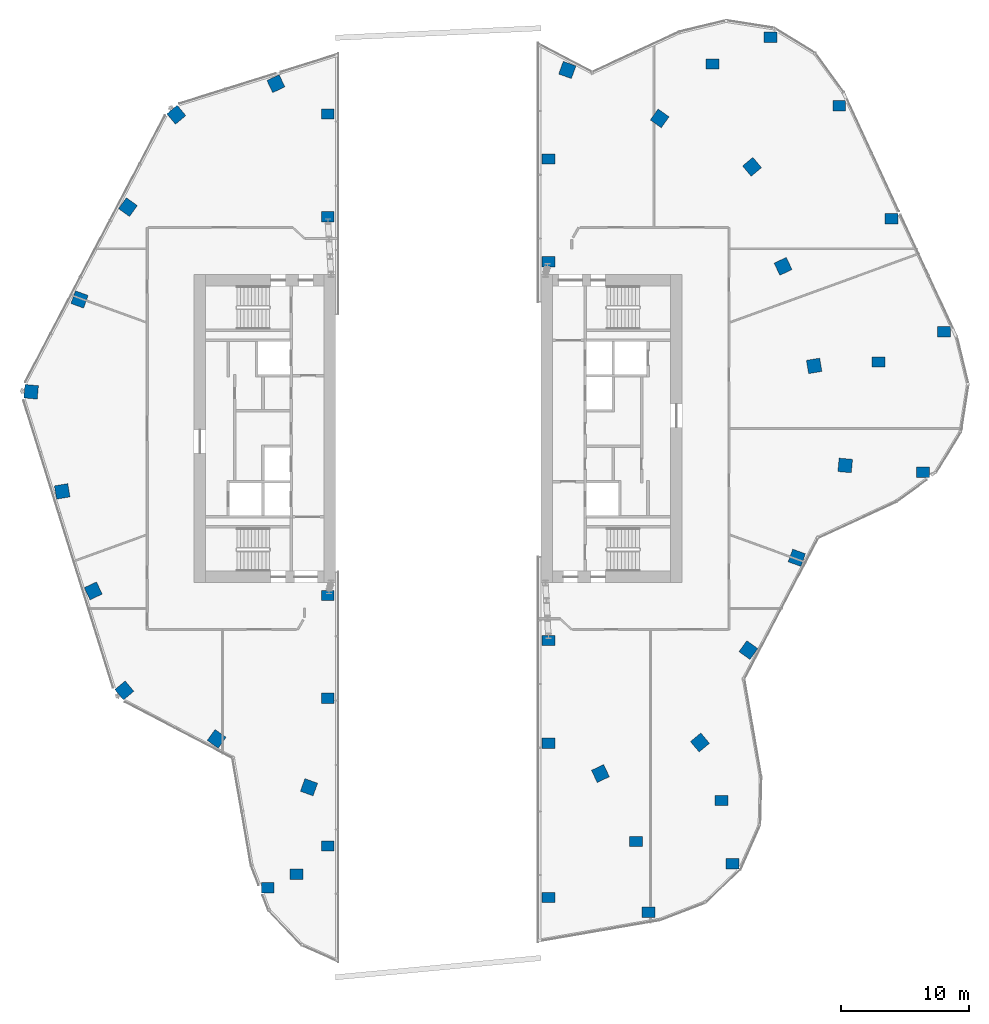
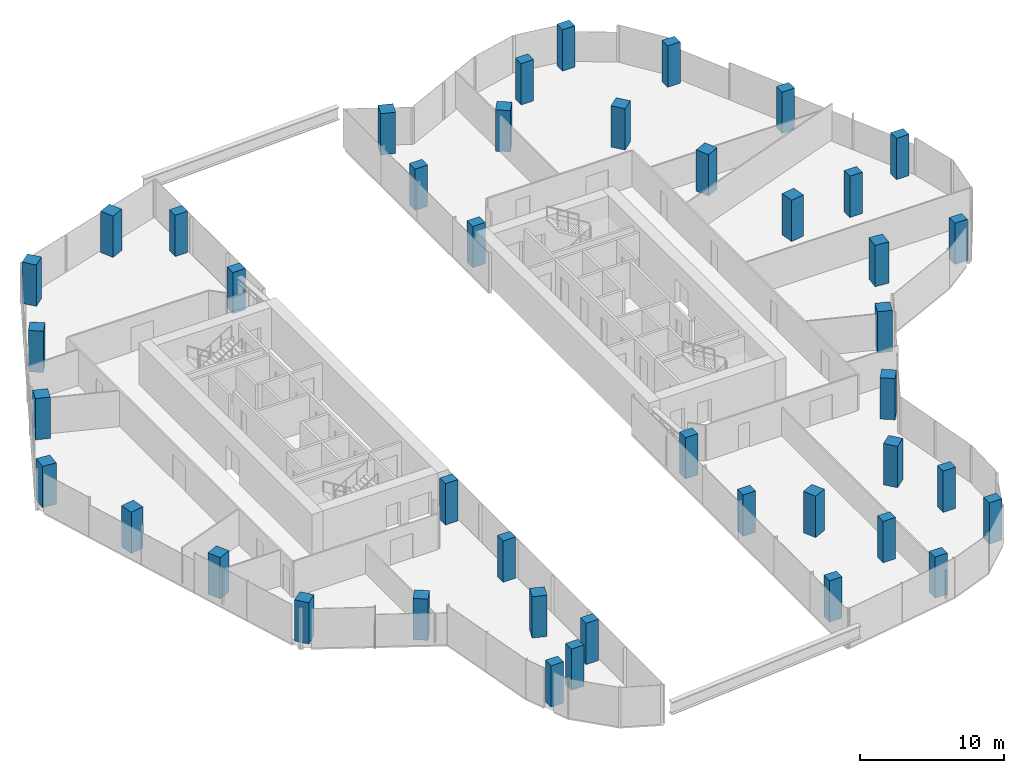
# One storey, part 1 of 24: 43 columns.
"""IFC4 building model written with IfcOpenShell, lengths in metres."""

from ifc_helpers import new_model, si_unit, direction, frame, origin, origin_2d, place, context, subcontext, project, spatial, rectangle, extrude, material, material_profile, profile_set, type_object, element, save


model = new_model("IFC4")

# Units and contexts
model_context = context("Model", 3, precision=1e-05, world=origin(), true_north=direction((0.0, 1.0)))
body_context = subcontext(model_context, "Body", "Model", "MODEL_VIEW")
ifc_project = project(units=[si_unit("LENGTHUNIT", "METRE"), si_unit("AREAUNIT", "SQUARE_METRE"), si_unit("VOLUMEUNIT", "CUBIC_METRE"), si_unit("PLANEANGLEUNIT", "RADIAN"), si_unit("MASSUNIT", "GRAM", prefix="KILO")], contexts=[model_context])

# Site, building, storey
site_placement = place(None, origin())
site = spatial("IfcSite", under=ifc_project, at=site_placement, CompositionType="ELEMENT")
building_placement = place(site_placement, origin())
building = spatial("IfcBuilding", under=site, at=building_placement, Name="Orlundy Tower", CompositionType="ELEMENT")
storey_placement = place(building_placement, frame((0.0, 0.0, 267.5)))
storey = spatial("IfcBuildingStorey", under=building, at=storey_placement, Name="L71", CompositionType="ELEMENT", Elevation=267.5)

# Columns
ifc_material_1 = material(Name="Concrete C60/75", Category="concrete")
ifc_material_profile_1 = material_profile(ifc_material_1, rectangle(XDim=1.0, YDim=0.800048828125, at=origin_2d()), Name="RC1000X800")
ifc_profile_set_1 = profile_set([ifc_material_profile_1], Name="Concrete C60/75")
column_type_1 = type_object("IfcColumnType", Name="RC COLUMN RC1000X800 C60/75", PredefinedType="COLUMN", material=ifc_profile_set_1)
for number, where, z_axis, x_axis, name in (
    (1, (37.758056640625, -3.389892578125, 0.0), (0.0, 0.0, 1.0), (1.0, 0.0, 0.0), "Column C-A1-1 L71"),
    (2, (39.376953125, 7.533935546875, 0.0), (0.0, 0.0, 1.0), (1.0, 0.0, 0.0), "Column C-A2-5 L71"),
    (3, (34.294921875, 5.181884765625, 0.0), (0.0, 0.0, 1.0), (1.0, 0.0, 0.0), "Column C-A2-6 L71"),
    (4, (35.302978515625, 16.3369140625, 0.0), (0.0, 0.0, 1.0), (1.0, 0.0, 0.0), "Column C-A3-5 L71"),
    (5, (31.22900390625, 25.139892578125, 0.0), (0.0, 0.0, 1.0), (1.0, 0.0, 0.0), "Column C-A4-5 L71"),
    (6, (25.885009765625, 30.48291015625, 0.0), (0.0, 0.0, 1.0), (1.0, 0.0, 0.0), "Column C-A5-5 L71"),
    (7, (21.346923828125, 28.383056640625, 0.0), (0.0, 0.0, 1.0), (1.0, 0.0, 0.0), "Column C-A5-6 L71"),
    (8, (-13.27392578125, -35.742919921875, 0.0), (0.0, 0.0, 1.0), (1.0, 0.0, 0.0), "Column C-B1-1 L71"),
    (9, (-11.031005859375, -34.68701171875, 0.0), (0.0, 0.0, 1.0), (1.0, 0.0, 0.0), "Column C-B1-6 L71"),
    (10, (16.3720703125, -37.656982421875, 0.0), (0.0, 0.0, 1.0), (1.0, 0.0, 0.0), "Column C-B4-5 L71"),
    (11, (15.4150390625, -32.138916015625, 0.0), (0.0, 0.0, 1.0), (1.0, 0.0, 0.0), "Column C-B4-6 L71"),
    (12, (22.916015625, -33.876953125, 0.0), (0.0, 0.0, 1.0), (1.0, 0.0, 0.0), "Column C-B5-5 L71"),
    (13, (22.06201171875, -28.950927734375, 0.0), (0.0, 0.0, 1.0), (1.0, 0.0, 0.0), "Column C-B5-6 L71"),
    (14, (8.60009765625, -36.5, 0.0), (0.0, 0.0, 1.0), (1.0, 0.0, 0.0), "Column C-SE1 L71"),
    (15, (8.60009765625, -24.5, 0.0), (0.0, 0.0, 1.0), (1.0, 0.0, 0.0), "Column C-SE2 L71"),
    (16, (8.60009765625, -16.5, 0.0), (0.0, 0.0, 1.0), (1.0, 0.0, 0.0), "Column C-SE3 L71"),
    (17, (8.60009765625, 13.0, 0.0), (0.0, 0.0, 1.0), (1.0, 0.0, 0.0), "Column C-SE4 L71"),
    (18, (8.60009765625, 21.0, 0.0), (0.0, 0.0, 1.0), (1.0, 0.0, 0.0), "Column C-SE5 L71"),
    (19, (-8.60009765625, 24.5, 0.0), (0.0, 0.0, 1.0), (1.0, 0.0, 0.0), "Column C-SW1 L71"),
    (20, (-8.60009765625, 16.5, 0.0), (0.0, 0.0, 1.0), (1.0, 0.0, 0.0), "Column C-SW2 L71"),
    (21, (-8.60009765625, -13.0, 0.0), (0.0, 0.0, 1.0), (1.0, 0.0, 0.0), "Column C-SW3 L71"),
    (22, (-8.60009765625, -21.0, 0.0), (0.0, 0.0, 1.0), (1.0, 0.0, 0.0), "Column C-SW4 L71"),
    (23, (-8.60009765625, -32.5, 0.0), (0.0, 0.0, 1.0), (1.0, 0.0, 0.0), "Column C-SW5 L71"),
):
    element("IfcColumn", number, at=place(storey_placement, frame(where, z_axis=z_axis, x_axis=x_axis)), inside=storey, type_object=column_type_1, Name=name, PredefinedType="COLUMN", context=body_context, shape_type="SweptSolid", body=[
        extrude(rectangle(XDim=1.0, YDim=0.800048828125, at=origin_2d()), origin(), (0.0, 0.0, 1.0), 3.5),
    ])
ifc_material_2 = material(Name="Concrete C60/75", Category="concrete")
ifc_material_profile_2 = material_profile(ifc_material_2, rectangle(XDim=1.050048828125, YDim=1.050048828125, at=origin_2d()), Name="RC1050X1050")
ifc_profile_set_2 = profile_set([ifc_material_profile_2], Name="Concrete C60/75")
column_type_2 = type_object("IfcColumnType", Name="RC COLUMN RC1050X1050 C60/75", PredefinedType="COLUMN", material=ifc_profile_set_2)
for number, where, z_axis, x_axis, name in (
    (24, (10.055908203125, 27.923095703125, 0.0), (0.0, 0.0, 1.0), (0.338836447191, 0.940845291243, 0.0), "Column C-H02 L71"),
    (25, (17.24609375, 24.154052734375, 0.0), (0.0, 0.0, 1.0), (0.581086534119, 0.813841778152, 0.0), "Column C-H03 L71"),
    (26, (24.43701171875, 20.384033203125, 0.0), (0.0, 0.0, 1.0), (0.767914719463, 0.640552092833, 0.0), "Column C-H04 L71"),
    (27, (26.85498046875, 12.634033203125, 0.0), (0.0, 0.0, 1.0), (0.904864205273, 0.425700328888, 0.0), "Column C-H05 L71"),
    (28, (29.27392578125, 4.884033203125, 0.0), (0.0, 0.0, 1.0), (0.986366141238, 0.1645655961, 0.0), "Column C-H06 L71"),
    (29, (31.693115234375, -2.865966796875, 0.0), (0.0, 0.0, 1.0), (0.99593643405, -0.09005897696, 0.0), "Column C-H07 L71"),
    (30, (27.923095703125, -10.055908203125, 0.0), (0.0, 0.0, 1.0), (0.940845291243, -0.338836447191, 0.0), "Column C-H08 L71"),
    (31, (24.154052734375, -17.24609375, 0.0), (0.0, 0.0, 1.0), (0.813841778152, -0.581086534119, 0.0), "Column C-H09 L71"),
    (32, (20.384033203125, -24.43701171875, 0.0), (0.0, 0.0, 1.0), (0.640552092833, -0.767914719463, 0.0), "Column C-H10 L71"),
    (33, (12.634033203125, -26.85498046875, 0.0), (0.0, 0.0, 1.0), (0.425700328888, -0.904864205273, 0.0), "Column C-H11 L71"),
    (34, (-10.055908203125, -27.923095703125, 0.0), (0.0, 0.0, 1.0), (-0.338836447191, -0.940845291243, 0.0), "Column C-H14 L71"),
    (35, (-17.24609375, -24.154052734375, 0.0), (0.0, 0.0, 1.0), (-0.581086534119, -0.813841778152, 0.0), "Column C-H15 L71"),
    (36, (-24.43701171875, -20.384033203125, 0.0), (0.0, 0.0, 1.0), (-0.767914719463, -0.640552092833, 0.0), "Column C-H16 L71"),
    (37, (-26.85498046875, -12.634033203125, 0.0), (0.0, 0.0, 1.0), (-0.904864205273, -0.425700328888, 0.0), "Column C-H17 L71"),
    (38, (-29.27392578125, -4.884033203125, 0.0), (0.0, 0.0, 1.0), (-0.986366141238, -0.1645655961, 0.0), "Column C-H18 L71"),
    (39, (-31.693115234375, 2.865966796875, 0.0), (0.0, 0.0, 1.0), (-0.99593643405, 0.09005897696, 0.0), "Column C-H19 L71"),
    (40, (-27.923095703125, 10.055908203125, 0.0), (0.0, 0.0, 1.0), (-0.940845291243, 0.338836447191, 0.0), "Column C-H20 L71"),
    (41, (-24.154052734375, 17.24609375, 0.0), (0.0, 0.0, 1.0), (-0.813841778152, 0.581086534119, 0.0), "Column C-H21 L71"),
    (42, (-20.384033203125, 24.43701171875, 0.0), (0.0, 0.0, 1.0), (-0.640552092833, 0.767914719463, 0.0), "Column C-H22 L71"),
    (43, (-12.634033203125, 26.85498046875, 0.0), (0.0, 0.0, 1.0), (-0.425700328888, 0.904864205273, 0.0), "Column C-H23 L71"),
):
    element("IfcColumn", number, at=place(storey_placement, frame(where, z_axis=z_axis, x_axis=x_axis)), inside=storey, type_object=column_type_2, Name=name, PredefinedType="COLUMN", context=body_context, shape_type="SweptSolid", body=[
        extrude(rectangle(XDim=1.050048828125, YDim=1.050048828125, at=origin_2d()), origin(), (0.0, 0.0, 1.0), 3.5),
    ])

save(model, "model.ifc")
